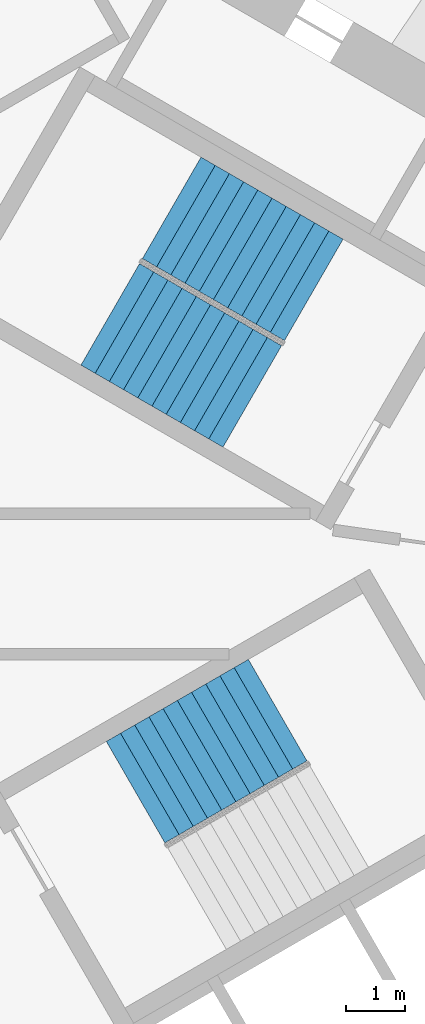
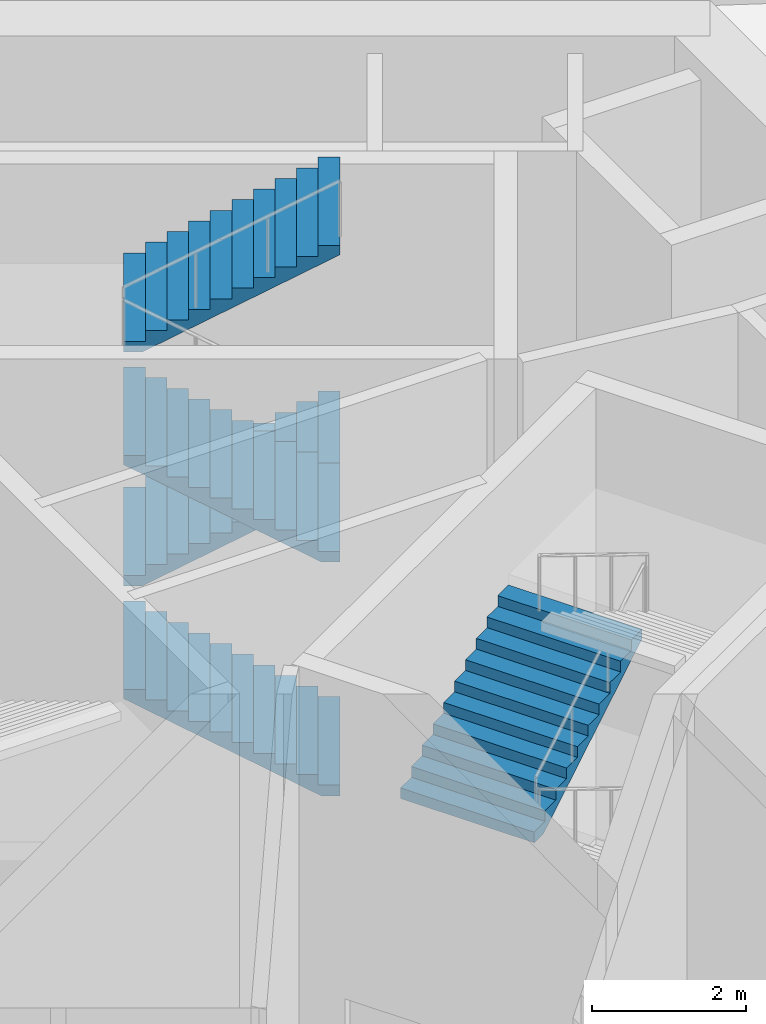
# One storey, part 13 of 17: 5 stair flights, 2 elements without a shape of their own.
"""IFC4 building model written with IfcOpenShell, lengths in metres."""

from ifc_helpers import new_model, si_unit, direction, frame, origin, place, context, subcontext, project, spatial, triangles, source, transform, mapped, material, type_object, element, aggregate, save


model = new_model("IFC4")

# Units and contexts
model_context = context("Model", 3, precision=1e-05, world=origin(), true_north=direction((0.0, 1.0)))
body_context = subcontext(model_context, "Body", "Model", "MODEL_VIEW")
ifc_project = project(units=[si_unit("LENGTHUNIT", "METRE"), si_unit("AREAUNIT", "SQUARE_METRE"), si_unit("VOLUMEUNIT", "CUBIC_METRE"), si_unit("PLANEANGLEUNIT", "RADIAN"), si_unit("MASSUNIT", "GRAM", prefix="KILO")], contexts=[model_context])

# Site, building, storey
site_placement = place(None, origin())
site = spatial("IfcSite", under=ifc_project, at=site_placement, CompositionType="ELEMENT")
building_placement = place(site_placement, origin())
building = spatial("IfcBuilding", under=site, at=building_placement, Name="Vanh Sen Convention Tower", CompositionType="ELEMENT")
storey_placement = place(building_placement, frame((0.0, 0.0, 214.300048828125)))
storey = spatial("IfcBuildingStorey", under=building, at=storey_placement, Name="L53", CompositionType="ELEMENT", Elevation=214.300048828125)

# Stair, stair flights
ifc_material_1 = material(Name="Concrete C50/60", Category="concrete")
stair_type_1 = type_object("IfcStairType", Name="Exit stair ST1 44 risers at 168.2", PredefinedType="HALF_TURN_STAIR", material=ifc_material_1)
stair_1_placement = place(storey_placement, origin())
stair_1 = element("IfcStair", 1, at=stair_1_placement, inside=storey, type_object=stair_type_1, Name="Exit stair ST1 L53", PredefinedType="HALF_TURN_STAIR")
ifc_material_2 = material(Name="Concrete C40/50", Category="concrete")
stair_flight_type = type_object("IfcStairFlightType", Name="Stair flight 2000", PredefinedType="STRAIGHT", material=ifc_material_2)
shared_shape = source(origin(), body_context, "Body", "Tessellation", [
    triangles([(0.24267578125, 1.0, 0.0), (0.0, 1.0, 0.0), (0.0, 1.0, 0.168212890625), (0.280029296875, 1.0, 0.168212890625), (0.280029296875, 1.0, 0.33642578125), (0.56005859375, 1.0, 0.33642578125), (0.56005859375, 1.0, 0.504638671875), (0.840087890625, 1.0, 0.504638671875), (0.840087890625, 1.0, 0.672607421875), (1.1201171875, 1.0, 0.672607421875), (1.1201171875, 1.0, 0.8408203125), (1.39990234375, 1.0, 0.8408203125), (1.39990234375, 1.0, 1.009033203125), (1.679931640625, 1.0, 1.009033203125), (1.679931640625, 1.0, 1.17724609375), (1.9599609375, 1.0, 1.17724609375), (1.9599609375, 1.0, 1.345458984375), (2.239990234375, 1.0, 1.345458984375), (2.239990234375, 1.0, 1.513671875), (2.52001953125, 1.0, 1.513671875), (2.52001953125, 1.0, 1.681884765625), (2.800048828125, 1.0, 1.681884765625), (2.800048828125, 1.0, 1.535888671875), (0.24267578125, -1.0, 0.0), (0.0, -1.0, 0.0), (0.0, -1.0, 0.168212890625), (0.280029296875, -1.0, 0.168212890625), (0.280029296875, -1.0, 0.33642578125), (0.56005859375, -1.0, 0.33642578125), (0.56005859375, -1.0, 0.504638671875), (0.840087890625, -1.0, 0.504638671875), (0.840087890625, -1.0, 0.672607421875), (1.1201171875, -1.0, 0.672607421875), (1.1201171875, -1.0, 0.8408203125), (1.39990234375, -1.0, 0.8408203125), (1.39990234375, -1.0, 1.009033203125), (1.679931640625, -1.0, 1.009033203125), (1.679931640625, -1.0, 1.17724609375), (1.9599609375, -1.0, 1.17724609375), (1.9599609375, -1.0, 1.345458984375), (2.239990234375, -1.0, 1.345458984375), (2.239990234375, -1.0, 1.513671875), (2.52001953125, -1.0, 1.513671875), (2.52001953125, -1.0, 1.681884765625), (2.800048828125, -1.0, 1.681884765625), (2.800048828125, -1.0, 1.535888671875), (0.0, 0.0400390625, 0.0), (0.0, 0.0390625, 0.0), (0.0, 0.0380859375, 0.0), (0.0, 0.037109375, 0.0), (0.0, 0.035888671875, 0.0), (0.0, 0.034912109375, 0.0), (0.0, 0.033935546875, 0.0), (0.0, 0.032958984375, 0.0), (0.0, 0.031982421875, 0.0), (0.0, 0.031005859375, 0.0), (0.0, 0.030029296875, 0.0), (0.0, 0.029052734375, 0.0), (0.0, 0.028076171875, 0.0), (0.0, 0.027099609375, 0.0), (0.0, 0.02587890625, 0.0), (0.0, 0.02490234375, 0.0), (0.0, 0.02392578125, 0.0), (0.0, 0.02294921875, 0.0), (0.0, 0.02197265625, 0.0), (0.0, 0.02099609375, 0.0), (0.0, 0.02001953125, 0.0), (0.0, 0.01904296875, 0.0), (0.0, 0.01806640625, 0.0), (0.0, 0.01708984375, 0.0), (0.0, 0.01611328125, 0.0), (0.0, 0.014892578125, 0.0), (0.0, 0.013916015625, 0.0), (0.0, 0.012939453125, 0.0), (0.0, 0.011962890625, 0.0), (0.0, 0.010986328125, 0.0), (0.0, 0.010009765625, 0.0), (0.0, 0.009033203125, 0.0), (0.0, 0.008056640625, 0.0), (0.0, 0.007080078125, 0.0), (0.0, 0.006103515625, 0.0), (0.0, 0.0048828125, 0.0), (0.0, 0.00390625, 0.0), (0.0, 0.0029296875, 0.0), (0.0, 0.001953125, 0.0), (0.0, 0.0009765625, 0.0), (0.0, 0.0, 0.0), (0.0, -0.0009765625, 0.0), (0.0, -0.001953125, 0.0), (0.0, -0.0029296875, 0.0), (0.0, -0.00390625, 0.0), (0.0, -0.0048828125, 0.0), (0.0, -0.006103515625, 0.0), (0.0, -0.007080078125, 0.0), (0.0, -0.008056640625, 0.0), (0.0, -0.009033203125, 0.0), (0.0, -0.010009765625, 0.0), (0.0, -0.010986328125, 0.0), (0.0, -0.011962890625, 0.0), (0.0, -0.012939453125, 0.0), (0.0, -0.013916015625, 0.0), (0.0, -0.014892578125, 0.0), (0.0, -0.01611328125, 0.0), (0.0, -0.01708984375, 0.0), (0.0, -0.01806640625, 0.0), (0.0, -0.01904296875, 0.0), (0.0, -0.02001953125, 0.0), (0.0, -0.02099609375, 0.0), (0.0, -0.02197265625, 0.0), (0.0, -0.02294921875, 0.0), (0.0, -0.02392578125, 0.0), (0.0, -0.02490234375, 0.0), (0.0, -0.02587890625, 0.0), (0.0, -0.027099609375, 0.0), (0.0, -0.028076171875, 0.0), (0.0, -0.029052734375, 0.0), (0.0, -0.030029296875, 0.0), (0.0, -0.031005859375, 0.0), (0.0, -0.031982421875, 0.0), (0.0, -0.032958984375, 0.0), (0.0, -0.033935546875, 0.0), (0.0, -0.034912109375, 0.0), (0.0, -0.035888671875, 0.0), (0.0, -0.037109375, 0.0), (0.0, -0.0380859375, 0.0), (0.0, -0.0390625, 0.0), (0.0, -0.0400390625, 0.0), (0.0, 0.0400390625, 0.168212890625), (0.0, 0.0390625, 0.168212890625), (0.0, 0.0380859375, 0.168212890625), (0.0, 0.037109375, 0.168212890625), (0.0, 0.035888671875, 0.168212890625), (0.0, 0.034912109375, 0.168212890625), (0.0, 0.033935546875, 0.168212890625), (0.0, 0.032958984375, 0.168212890625), (0.0, 0.031982421875, 0.168212890625), (0.0, 0.031005859375, 0.168212890625), (0.0, 0.030029296875, 0.168212890625), (0.0, 0.029052734375, 0.168212890625), (0.0, 0.028076171875, 0.168212890625), (0.0, 0.027099609375, 0.168212890625), (0.0, 0.02587890625, 0.168212890625), (0.0, 0.02490234375, 0.168212890625), (0.0, 0.02392578125, 0.168212890625), (0.0, 0.02294921875, 0.168212890625), (0.0, 0.02197265625, 0.168212890625), (0.0, 0.02099609375, 0.168212890625), (0.0, 0.02001953125, 0.168212890625), (0.0, 0.01904296875, 0.168212890625), (0.0, 0.01806640625, 0.168212890625), (0.0, 0.01708984375, 0.168212890625), (0.0, 0.01611328125, 0.168212890625), (0.0, 0.014892578125, 0.168212890625), (0.0, 0.013916015625, 0.168212890625), (0.0, 0.012939453125, 0.168212890625), (0.0, 0.011962890625, 0.168212890625), (0.0, 0.010986328125, 0.168212890625), (0.0, 0.010009765625, 0.168212890625), (0.0, 0.009033203125, 0.168212890625), (0.0, 0.008056640625, 0.168212890625), (0.0, 0.007080078125, 0.168212890625), (0.0, 0.006103515625, 0.168212890625), (0.0, 0.0048828125, 0.168212890625), (0.0, 0.00390625, 0.168212890625), (0.0, 0.0029296875, 0.168212890625), (0.0, 0.001953125, 0.168212890625), (0.0, 0.0009765625, 0.168212890625), (0.0, 0.0, 0.168212890625), (0.0, -0.0009765625, 0.168212890625), (0.0, -0.001953125, 0.168212890625), (0.0, -0.0029296875, 0.168212890625), (0.0, -0.00390625, 0.168212890625), (0.0, -0.0048828125, 0.168212890625), (0.0, -0.006103515625, 0.168212890625), (0.0, -0.007080078125, 0.168212890625), (0.0, -0.008056640625, 0.168212890625), (0.0, -0.009033203125, 0.168212890625), (0.0, -0.010009765625, 0.168212890625), (0.0, -0.010986328125, 0.168212890625), (0.0, -0.011962890625, 0.168212890625), (0.0, -0.012939453125, 0.168212890625), (0.0, -0.013916015625, 0.168212890625), (0.0, -0.014892578125, 0.168212890625), (0.0, -0.01611328125, 0.168212890625), (0.0, -0.01708984375, 0.168212890625), (0.0, -0.01806640625, 0.168212890625), (0.0, -0.01904296875, 0.168212890625), (0.0, -0.02001953125, 0.168212890625), (0.0, -0.02099609375, 0.168212890625), (0.0, -0.02197265625, 0.168212890625), (0.0, -0.02294921875, 0.168212890625), (0.0, -0.02392578125, 0.168212890625), (0.0, -0.02490234375, 0.168212890625), (0.0, -0.02587890625, 0.168212890625), (0.0, -0.027099609375, 0.168212890625), (0.0, -0.028076171875, 0.168212890625), (0.0, -0.029052734375, 0.168212890625), (0.0, -0.030029296875, 0.168212890625), (0.0, -0.031005859375, 0.168212890625), (0.0, -0.031982421875, 0.168212890625), (0.0, -0.032958984375, 0.168212890625), (0.0, -0.033935546875, 0.168212890625), (0.0, -0.034912109375, 0.168212890625), (0.0, -0.035888671875, 0.168212890625), (0.0, -0.037109375, 0.168212890625), (0.0, -0.0380859375, 0.168212890625), (0.0, -0.0390625, 0.168212890625), (0.0, -0.0400390625, 0.168212890625), (0.280029296875, 0.0, 0.168212890625), (0.280029296875, 0.0, 0.33642578125), (0.56005859375, 0.0, 0.33642578125), (0.56005859375, 0.0, 0.504638671875), (0.840087890625, 0.0, 0.504638671875), (0.840087890625, 0.0, 0.672607421875), (1.1201171875, 0.0, 0.672607421875), (1.1201171875, 0.0, 0.8408203125), (1.39990234375, 0.0, 0.8408203125), (1.39990234375, 0.0, 1.009033203125), (1.679931640625, 0.0, 1.009033203125), (1.679931640625, 0.0, 1.17724609375), (1.9599609375, 0.0, 1.17724609375), (1.9599609375, 0.0, 1.345458984375), (2.239990234375, 0.0, 1.345458984375), (2.239990234375, 0.0, 1.513671875), (2.52001953125, 0.0, 1.513671875), (2.52001953125, 0.0, 1.681884765625), (2.800048828125, 0.0400390625, 1.681884765625), (2.800048828125, 0.0390625, 1.681884765625), (2.800048828125, 0.0380859375, 1.681884765625), (2.800048828125, 0.037109375, 1.681884765625), (2.800048828125, 0.035888671875, 1.681884765625), (2.800048828125, 0.034912109375, 1.681884765625), (2.800048828125, 0.033935546875, 1.681884765625), (2.800048828125, 0.032958984375, 1.681884765625), (2.800048828125, 0.031982421875, 1.681884765625), (2.800048828125, 0.031005859375, 1.681884765625), (2.800048828125, 0.030029296875, 1.681884765625), (2.800048828125, 0.029052734375, 1.681884765625), (2.800048828125, 0.028076171875, 1.681884765625), (2.800048828125, 0.027099609375, 1.681884765625), (2.800048828125, 0.02587890625, 1.681884765625), (2.800048828125, 0.02490234375, 1.681884765625), (2.800048828125, 0.02392578125, 1.681884765625), (2.800048828125, 0.02294921875, 1.681884765625), (2.800048828125, 0.02197265625, 1.681884765625), (2.800048828125, 0.02099609375, 1.681884765625), (2.800048828125, 0.02001953125, 1.681884765625), (2.800048828125, 0.01904296875, 1.681884765625), (2.800048828125, 0.01806640625, 1.681884765625), (2.800048828125, 0.01708984375, 1.681884765625), (2.800048828125, 0.01611328125, 1.681884765625), (2.800048828125, 0.014892578125, 1.681884765625), (2.800048828125, 0.013916015625, 1.681884765625), (2.800048828125, 0.012939453125, 1.681884765625), (2.800048828125, 0.011962890625, 1.681884765625), (2.800048828125, 0.010986328125, 1.681884765625), (2.800048828125, 0.010009765625, 1.681884765625), (2.800048828125, 0.009033203125, 1.681884765625), (2.800048828125, 0.008056640625, 1.681884765625), (2.800048828125, 0.007080078125, 1.681884765625), (2.800048828125, 0.006103515625, 1.681884765625), (2.800048828125, 0.0048828125, 1.681884765625), (2.800048828125, 0.00390625, 1.681884765625), (2.800048828125, 0.0029296875, 1.681884765625), (2.800048828125, 0.001953125, 1.681884765625), (2.800048828125, 0.0009765625, 1.681884765625), (2.800048828125, 0.0, 1.681884765625), (2.800048828125, -0.0009765625, 1.681884765625), (2.800048828125, -0.001953125, 1.681884765625), (2.800048828125, -0.0029296875, 1.681884765625), (2.800048828125, -0.00390625, 1.681884765625), (2.800048828125, -0.0048828125, 1.681884765625), (2.800048828125, -0.006103515625, 1.681884765625), (2.800048828125, -0.007080078125, 1.681884765625), (2.800048828125, -0.008056640625, 1.681884765625), (2.800048828125, -0.009033203125, 1.681884765625), (2.800048828125, -0.010009765625, 1.681884765625), (2.800048828125, -0.010986328125, 1.681884765625), (2.800048828125, -0.011962890625, 1.681884765625), (2.800048828125, -0.012939453125, 1.681884765625), (2.800048828125, -0.013916015625, 1.681884765625), (2.800048828125, -0.014892578125, 1.681884765625), (2.800048828125, -0.01611328125, 1.681884765625), (2.800048828125, -0.01708984375, 1.681884765625), (2.800048828125, -0.01806640625, 1.681884765625), (2.800048828125, -0.01904296875, 1.681884765625), (2.800048828125, -0.02001953125, 1.681884765625), (2.800048828125, -0.02099609375, 1.681884765625), (2.800048828125, -0.02197265625, 1.681884765625), (2.800048828125, -0.02294921875, 1.681884765625), (2.800048828125, -0.02392578125, 1.681884765625), (2.800048828125, -0.02490234375, 1.681884765625), (2.800048828125, -0.02587890625, 1.681884765625), (2.800048828125, -0.027099609375, 1.681884765625), (2.800048828125, -0.028076171875, 1.681884765625), (2.800048828125, -0.029052734375, 1.681884765625), (2.800048828125, -0.030029296875, 1.681884765625), (2.800048828125, -0.031005859375, 1.681884765625), (2.800048828125, -0.031982421875, 1.681884765625), (2.800048828125, -0.032958984375, 1.681884765625), (2.800048828125, -0.033935546875, 1.681884765625), (2.800048828125, -0.034912109375, 1.681884765625), (2.800048828125, -0.035888671875, 1.681884765625), (2.800048828125, -0.037109375, 1.681884765625), (2.800048828125, -0.0380859375, 1.681884765625), (2.800048828125, -0.0390625, 1.681884765625), (2.800048828125, -0.0400390625, 1.681884765625), (2.800048828125, 0.0400390625, 1.535888671875), (2.800048828125, 0.0390625, 1.535888671875), (2.800048828125, 0.0380859375, 1.535888671875), (2.800048828125, 0.037109375, 1.535888671875), (2.800048828125, 0.035888671875, 1.535888671875), (2.800048828125, 0.034912109375, 1.535888671875), (2.800048828125, 0.033935546875, 1.535888671875), (2.800048828125, 0.032958984375, 1.535888671875), (2.800048828125, 0.031982421875, 1.535888671875), (2.800048828125, 0.031005859375, 1.535888671875), (2.800048828125, 0.030029296875, 1.535888671875), (2.800048828125, 0.029052734375, 1.535888671875), (2.800048828125, 0.028076171875, 1.535888671875), (2.800048828125, 0.027099609375, 1.535888671875), (2.800048828125, 0.02587890625, 1.535888671875), (2.800048828125, 0.02490234375, 1.535888671875), (2.800048828125, 0.02392578125, 1.535888671875), (2.800048828125, 0.02294921875, 1.535888671875), (2.800048828125, 0.02197265625, 1.535888671875), (2.800048828125, 0.02099609375, 1.535888671875), (2.800048828125, 0.02001953125, 1.535888671875), (2.800048828125, 0.01904296875, 1.535888671875), (2.800048828125, 0.01806640625, 1.535888671875), (2.800048828125, 0.01708984375, 1.535888671875), (2.800048828125, 0.01611328125, 1.535888671875), (2.800048828125, 0.014892578125, 1.535888671875), (2.800048828125, 0.013916015625, 1.535888671875), (2.800048828125, 0.012939453125, 1.535888671875), (2.800048828125, 0.011962890625, 1.535888671875), (2.800048828125, 0.010986328125, 1.535888671875), (2.800048828125, 0.010009765625, 1.535888671875), (2.800048828125, 0.009033203125, 1.535888671875), (2.800048828125, 0.008056640625, 1.535888671875), (2.800048828125, 0.007080078125, 1.535888671875), (2.800048828125, 0.006103515625, 1.535888671875), (2.800048828125, 0.0048828125, 1.535888671875), (2.800048828125, 0.00390625, 1.535888671875), (2.800048828125, 0.0029296875, 1.535888671875), (2.800048828125, 0.001953125, 1.535888671875), (2.800048828125, 0.0009765625, 1.535888671875), (2.800048828125, 0.0, 1.535888671875), (2.800048828125, -0.0009765625, 1.535888671875), (2.800048828125, -0.001953125, 1.535888671875), (2.800048828125, -0.0029296875, 1.535888671875), (2.800048828125, -0.00390625, 1.535888671875), (2.800048828125, -0.0048828125, 1.535888671875), (2.800048828125, -0.006103515625, 1.535888671875), (2.800048828125, -0.007080078125, 1.535888671875), (2.800048828125, -0.008056640625, 1.535888671875), (2.800048828125, -0.009033203125, 1.535888671875), (2.800048828125, -0.010009765625, 1.535888671875), (2.800048828125, -0.010986328125, 1.535888671875), (2.800048828125, -0.011962890625, 1.535888671875), (2.800048828125, -0.012939453125, 1.535888671875), (2.800048828125, -0.013916015625, 1.535888671875), (2.800048828125, -0.014892578125, 1.535888671875), (2.800048828125, -0.01611328125, 1.535888671875), (2.800048828125, -0.01708984375, 1.535888671875), (2.800048828125, -0.01806640625, 1.535888671875), (2.800048828125, -0.01904296875, 1.535888671875), (2.800048828125, -0.02001953125, 1.535888671875), (2.800048828125, -0.02099609375, 1.535888671875), (2.800048828125, -0.02197265625, 1.535888671875), (2.800048828125, -0.02294921875, 1.535888671875), (2.800048828125, -0.02392578125, 1.535888671875), (2.800048828125, -0.02490234375, 1.535888671875), (2.800048828125, -0.02587890625, 1.535888671875), (2.800048828125, -0.027099609375, 1.535888671875), (2.800048828125, -0.028076171875, 1.535888671875), (2.800048828125, -0.029052734375, 1.535888671875), (2.800048828125, -0.030029296875, 1.535888671875), (2.800048828125, -0.031005859375, 1.535888671875), (2.800048828125, -0.031982421875, 1.535888671875), (2.800048828125, -0.032958984375, 1.535888671875), (2.800048828125, -0.033935546875, 1.535888671875), (2.800048828125, -0.034912109375, 1.535888671875), (2.800048828125, -0.035888671875, 1.535888671875), (2.800048828125, -0.037109375, 1.535888671875), (2.800048828125, -0.0380859375, 1.535888671875), (2.800048828125, -0.0390625, 1.535888671875), (2.800048828125, -0.0400390625, 1.535888671875), (0.24267578125, 0.0, 0.0)], [[1, 2, 3], [1, 3, 4], [4, 5, 6], [1, 4, 6], [6, 7, 8], [1, 6, 8], [8, 9, 10], [1, 8, 10], [10, 11, 12], [1, 10, 12], [12, 13, 14], [1, 12, 14], [14, 15, 16], [1, 14, 16], [16, 17, 18], [1, 16, 18], [18, 19, 20], [1, 18, 20], [20, 21, 22], [1, 20, 22], [22, 23, 1], [24, 26, 25], [24, 27, 26], [27, 29, 28], [24, 29, 27], [29, 31, 30], [24, 31, 29], [31, 33, 32], [24, 33, 31], [33, 35, 34], [24, 35, 33], [35, 37, 36], [24, 37, 35], [37, 39, 38], [24, 39, 37], [39, 41, 40], [24, 41, 39], [41, 43, 42], [24, 43, 41], [43, 45, 44], [24, 45, 43], [45, 24, 46], [2, 128, 3], [2, 47, 128], [47, 129, 128], [47, 48, 129], [48, 130, 129], [48, 49, 130], [49, 131, 130], [49, 50, 131], [50, 132, 131], [50, 51, 132], [51, 133, 132], [51, 52, 133], [52, 134, 133], [52, 53, 134], [53, 135, 134], [53, 54, 135], [54, 136, 135], [54, 55, 136], [55, 137, 136], [55, 56, 137], [56, 138, 137], [56, 57, 138], [57, 139, 138], [57, 58, 139], [58, 140, 139], [58, 59, 140], [59, 141, 140], [59, 60, 141], [60, 142, 141], [60, 61, 142], [61, 143, 142], [61, 62, 143], [62, 144, 143], [62, 63, 144], [63, 145, 144], [63, 64, 145], [64, 146, 145], [64, 65, 146], [65, 147, 146], [65, 66, 147], [66, 148, 147], [66, 67, 148], [67, 149, 148], [67, 68, 149], [68, 150, 149], [68, 69, 150], [69, 151, 150], [69, 70, 151], [70, 152, 151], [70, 71, 152], [71, 153, 152], [71, 72, 153], [72, 154, 153], [72, 73, 154], [73, 155, 154], [73, 74, 155], [74, 156, 155], [74, 75, 156], [75, 157, 156], [75, 76, 157], [76, 158, 157], [76, 77, 158], [77, 159, 158], [77, 78, 159], [78, 160, 159], [78, 79, 160], [79, 161, 160], [79, 80, 161], [80, 162, 161], [80, 81, 162], [81, 163, 162], [81, 82, 163], [82, 164, 163], [82, 83, 164], [83, 165, 164], [83, 84, 165], [84, 166, 165], [84, 85, 166], [85, 167, 166], [85, 86, 167], [86, 168, 167], [86, 87, 168], [87, 88, 168], [168, 88, 169], [88, 89, 169], [169, 89, 170], [89, 90, 170], [170, 90, 171], [90, 91, 171], [171, 91, 172], [91, 92, 172], [172, 92, 173], [92, 93, 173], [173, 93, 174], [93, 94, 174], [174, 94, 175], [94, 95, 175], [175, 95, 176], [95, 96, 176], [176, 96, 177], [96, 97, 177], [177, 97, 178], [97, 98, 178], [178, 98, 179], [98, 99, 179], [179, 99, 180], [99, 100, 180], [180, 100, 181], [100, 101, 181], [181, 101, 182], [101, 102, 182], [182, 102, 183], [102, 103, 183], [183, 103, 184], [103, 104, 184], [184, 104, 185], [104, 105, 185], [185, 105, 186], [105, 106, 186], [186, 106, 187], [106, 107, 187], [187, 107, 188], [107, 108, 188], [188, 108, 189], [108, 109, 189], [189, 109, 190], [109, 110, 190], [190, 110, 191], [110, 111, 191], [191, 111, 192], [111, 112, 192], [192, 112, 193], [112, 113, 193], [193, 113, 194], [113, 114, 194], [194, 114, 195], [114, 115, 195], [195, 115, 196], [115, 116, 196], [196, 116, 197], [116, 117, 197], [197, 117, 198], [117, 118, 198], [198, 118, 199], [118, 119, 199], [199, 119, 200], [119, 120, 200], [200, 120, 201], [120, 121, 201], [201, 121, 202], [121, 122, 202], [202, 122, 203], [122, 123, 203], [203, 123, 204], [123, 124, 204], [204, 124, 205], [124, 125, 205], [205, 125, 206], [125, 126, 206], [206, 126, 207], [126, 127, 207], [207, 127, 208], [127, 25, 208], [208, 25, 26], [4, 3, 128], [4, 128, 129], [4, 129, 130], [4, 130, 131], [4, 131, 132], [4, 132, 133], [4, 133, 134], [4, 134, 135], [4, 135, 136], [4, 136, 137], [4, 137, 138], [4, 138, 139], [4, 139, 140], [4, 140, 141], [4, 141, 142], [4, 142, 143], [4, 143, 144], [4, 144, 145], [4, 145, 146], [4, 146, 147], [4, 147, 148], [4, 148, 149], [4, 149, 150], [4, 150, 151], [4, 151, 152], [4, 152, 153], [4, 153, 154], [4, 154, 155], [4, 155, 156], [4, 156, 157], [4, 157, 158], [4, 158, 159], [4, 159, 160], [4, 160, 161], [4, 161, 162], [4, 162, 163], [4, 163, 164], [4, 164, 165], [4, 165, 166], [4, 166, 167], [4, 167, 168], [27, 168, 169], [27, 169, 170], [27, 170, 171], [27, 171, 172], [27, 172, 173], [27, 173, 174], [27, 174, 175], [27, 175, 176], [27, 176, 177], [27, 177, 178], [27, 178, 179], [27, 179, 180], [27, 180, 181], [27, 181, 182], [27, 182, 183], [27, 183, 184], [27, 184, 185], [27, 185, 186], [27, 186, 187], [27, 187, 188], [27, 188, 189], [27, 189, 190], [27, 190, 191], [27, 191, 192], [27, 192, 193], [27, 193, 194], [27, 194, 195], [27, 195, 196], [27, 196, 197], [27, 197, 198], [27, 198, 199], [27, 199, 200], [27, 200, 201], [27, 201, 202], [27, 202, 203], [27, 203, 204], [27, 204, 205], [27, 205, 206], [27, 206, 207], [27, 207, 208], [27, 208, 26], [4, 168, 209], [27, 209, 168], [4, 210, 5], [4, 209, 210], [209, 27, 210], [210, 27, 28], [5, 211, 6], [5, 210, 211], [210, 28, 211], [211, 28, 29], [6, 212, 7], [6, 211, 212], [211, 29, 212], [212, 29, 30], [7, 213, 8], [7, 212, 213], [212, 30, 213], [213, 30, 31], [8, 214, 9], [8, 213, 214], [213, 31, 214], [214, 31, 32], [9, 215, 10], [9, 214, 215], [214, 32, 215], [215, 32, 33], [10, 216, 11], [10, 215, 216], [215, 33, 216], [216, 33, 34], [11, 217, 12], [11, 216, 217], [216, 34, 217], [217, 34, 35], [12, 218, 13], [12, 217, 218], [217, 35, 218], [218, 35, 36], [13, 219, 14], [13, 218, 219], [218, 36, 219], [219, 36, 37], [14, 220, 15], [14, 219, 220], [219, 37, 220], [220, 37, 38], [15, 221, 16], [15, 220, 221], [220, 38, 221], [221, 38, 39], [16, 222, 17], [16, 221, 222], [221, 39, 222], [222, 39, 40], [17, 223, 18], [17, 222, 223], [222, 40, 223], [223, 40, 41], [18, 224, 19], [18, 223, 224], [223, 41, 224], [224, 41, 42], [19, 225, 20], [19, 224, 225], [224, 42, 225], [225, 42, 43], [20, 226, 21], [20, 225, 226], [225, 43, 226], [226, 43, 44], [21, 227, 22], [21, 228, 227], [21, 229, 228], [21, 230, 229], [21, 231, 230], [21, 232, 231], [21, 233, 232], [21, 234, 233], [21, 235, 234], [21, 236, 235], [21, 237, 236], [21, 238, 237], [21, 239, 238], [21, 240, 239], [21, 241, 240], [21, 242, 241], [21, 243, 242], [21, 244, 243], [21, 245, 244], [21, 246, 245], [21, 247, 246], [21, 248, 247], [21, 249, 248], [21, 250, 249], [21, 251, 250], [21, 252, 251], [21, 253, 252], [21, 254, 253], [21, 255, 254], [21, 256, 255], [21, 257, 256], [21, 258, 257], [21, 259, 258], [21, 260, 259], [21, 261, 260], [21, 262, 261], [21, 263, 262], [21, 264, 263], [21, 265, 264], [21, 266, 265], [21, 267, 266], [44, 268, 267], [44, 269, 268], [44, 270, 269], [44, 271, 270], [44, 272, 271], [44, 273, 272], [44, 274, 273], [44, 275, 274], [44, 276, 275], [44, 277, 276], [44, 278, 277], [44, 279, 278], [44, 280, 279], [44, 281, 280], [44, 282, 281], [44, 283, 282], [44, 284, 283], [44, 285, 284], [44, 286, 285], [44, 287, 286], [44, 288, 287], [44, 289, 288], [44, 290, 289], [44, 291, 290], [44, 292, 291], [44, 293, 292], [44, 294, 293], [44, 295, 294], [44, 296, 295], [44, 297, 296], [44, 298, 297], [44, 299, 298], [44, 300, 299], [44, 301, 300], [44, 302, 301], [44, 303, 302], [44, 304, 303], [44, 305, 304], [44, 306, 305], [44, 307, 306], [44, 45, 307], [21, 226, 267], [44, 267, 226], [22, 308, 23], [22, 227, 308], [227, 309, 308], [227, 228, 309], [228, 310, 309], [228, 229, 310], [229, 311, 310], [229, 230, 311], [230, 312, 311], [230, 231, 312], [231, 313, 312], [231, 232, 313], [232, 314, 313], [232, 233, 314], [233, 315, 314], [233, 234, 315], [234, 316, 315], [234, 235, 316], [235, 317, 316], [235, 236, 317], [236, 318, 317], [236, 237, 318], [237, 319, 318], [237, 238, 319], [238, 320, 319], [238, 239, 320], [239, 321, 320], [239, 240, 321], [240, 322, 321], [240, 241, 322], [241, 323, 322], [241, 242, 323], [242, 324, 323], [242, 243, 324], [243, 325, 324], [243, 244, 325], [244, 326, 325], [244, 245, 326], [245, 327, 326], [245, 246, 327], [246, 328, 327], [246, 247, 328], [247, 329, 328], [247, 248, 329], [248, 330, 329], [248, 249, 330], [249, 331, 330], [249, 250, 331], [250, 332, 331], [250, 251, 332], [251, 333, 332], [251, 252, 333], [252, 334, 333], [252, 253, 334], [253, 335, 334], [253, 254, 335], [254, 336, 335], [254, 255, 336], [255, 337, 336], [255, 256, 337], [256, 338, 337], [256, 257, 338], [257, 339, 338], [257, 258, 339], [258, 340, 339], [258, 259, 340], [259, 341, 340], [259, 260, 341], [260, 342, 341], [260, 261, 342], [261, 343, 342], [261, 262, 343], [262, 344, 343], [262, 263, 344], [263, 345, 344], [263, 264, 345], [264, 346, 345], [264, 265, 346], [265, 347, 346], [265, 266, 347], [266, 348, 347], [266, 267, 348], [267, 268, 348], [348, 268, 349], [268, 269, 349], [349, 269, 350], [269, 270, 350], [350, 270, 351], [270, 271, 351], [351, 271, 352], [271, 272, 352], [352, 272, 353], [272, 273, 353], [353, 273, 354], [273, 274, 354], [354, 274, 355], [274, 275, 355], [355, 275, 356], [275, 276, 356], [356, 276, 357], [276, 277, 357], [357, 277, 358], [277, 278, 358], [358, 278, 359], [278, 279, 359], [359, 279, 360], [279, 280, 360], [360, 280, 361], [280, 281, 361], [361, 281, 362], [281, 282, 362], [362, 282, 363], [282, 283, 363], [363, 283, 364], [283, 284, 364], [364, 284, 365], [284, 285, 365], [365, 285, 366], [285, 286, 366], [366, 286, 367], [286, 287, 367], [367, 287, 368], [287, 288, 368], [368, 288, 369], [288, 289, 369], [369, 289, 370], [289, 290, 370], [370, 290, 371], [290, 291, 371], [371, 291, 372], [291, 292, 372], [372, 292, 373], [292, 293, 373], [373, 293, 374], [293, 294, 374], [374, 294, 375], [294, 295, 375], [375, 295, 376], [295, 296, 376], [376, 296, 377], [296, 297, 377], [377, 297, 378], [297, 298, 378], [378, 298, 379], [298, 299, 379], [379, 299, 380], [299, 300, 380], [380, 300, 381], [300, 301, 381], [381, 301, 382], [301, 302, 382], [382, 302, 383], [302, 303, 383], [383, 303, 384], [303, 304, 384], [384, 304, 385], [304, 305, 385], [385, 305, 386], [305, 306, 386], [386, 306, 387], [306, 307, 387], [387, 307, 388], [307, 45, 388], [388, 45, 46], [1, 23, 308], [1, 308, 309], [1, 309, 310], [1, 310, 311], [1, 311, 312], [1, 312, 313], [1, 313, 314], [1, 314, 315], [1, 315, 316], [1, 316, 317], [1, 317, 318], [1, 318, 319], [1, 319, 320], [1, 320, 321], [1, 321, 322], [1, 322, 323], [1, 323, 324], [1, 324, 325], [1, 325, 326], [1, 326, 327], [1, 327, 328], [1, 328, 329], [1, 329, 330], [1, 330, 331], [1, 331, 332], [1, 332, 333], [1, 333, 334], [1, 334, 335], [1, 335, 336], [1, 336, 337], [1, 337, 338], [1, 338, 339], [1, 339, 340], [1, 340, 341], [1, 341, 342], [1, 342, 343], [1, 343, 344], [1, 344, 345], [1, 345, 346], [1, 346, 347], [1, 347, 348], [24, 348, 349], [24, 349, 350], [24, 350, 351], [24, 351, 352], [24, 352, 353], [24, 353, 354], [24, 354, 355], [24, 355, 356], [24, 356, 357], [24, 357, 358], [24, 358, 359], [24, 359, 360], [24, 360, 361], [24, 361, 362], [24, 362, 363], [24, 363, 364], [24, 364, 365], [24, 365, 366], [24, 366, 367], [24, 367, 368], [24, 368, 369], [24, 369, 370], [24, 370, 371], [24, 371, 372], [24, 372, 373], [24, 373, 374], [24, 374, 375], [24, 375, 376], [24, 376, 377], [24, 377, 378], [24, 378, 379], [24, 379, 380], [24, 380, 381], [24, 381, 382], [24, 382, 383], [24, 383, 384], [24, 384, 385], [24, 385, 386], [24, 386, 387], [24, 387, 388], [24, 388, 46], [1, 348, 389], [24, 389, 348], [1, 47, 2], [1, 48, 47], [1, 49, 48], [1, 50, 49], [1, 51, 50], [1, 52, 51], [1, 53, 52], [1, 54, 53], [1, 55, 54], [1, 56, 55], [1, 57, 56], [1, 58, 57], [1, 59, 58], [1, 60, 59], [1, 61, 60], [1, 62, 61], [1, 63, 62], [1, 64, 63], [1, 65, 64], [1, 66, 65], [1, 67, 66], [1, 68, 67], [1, 69, 68], [1, 70, 69], [1, 71, 70], [1, 72, 71], [1, 73, 72], [1, 74, 73], [1, 75, 74], [1, 76, 75], [1, 77, 76], [1, 78, 77], [1, 79, 78], [1, 80, 79], [1, 81, 80], [1, 82, 81], [1, 83, 82], [1, 84, 83], [1, 85, 84], [1, 86, 85], [1, 87, 86], [24, 88, 87], [24, 89, 88], [24, 90, 89], [24, 91, 90], [24, 92, 91], [24, 93, 92], [24, 94, 93], [24, 95, 94], [24, 96, 95], [24, 97, 96], [24, 98, 97], [24, 99, 98], [24, 100, 99], [24, 101, 100], [24, 102, 101], [24, 103, 102], [24, 104, 103], [24, 105, 104], [24, 106, 105], [24, 107, 106], [24, 108, 107], [24, 109, 108], [24, 110, 109], [24, 111, 110], [24, 112, 111], [24, 113, 112], [24, 114, 113], [24, 115, 114], [24, 116, 115], [24, 117, 116], [24, 118, 117], [24, 119, 118], [24, 120, 119], [24, 121, 120], [24, 122, 121], [24, 123, 122], [24, 124, 123], [24, 125, 124], [24, 126, 125], [24, 127, 126], [24, 25, 127], [1, 389, 87], [24, 87, 389]], closed=True),
])
stair_flight_1_placement = place(storey_placement, frame((2.94580078125, 2.802490234375, 0.0), z_axis=(0.0, 0.0, 1.0), x_axis=(-0.866025403784, 0.5, 0.0)))
stair_flight_1 = element("IfcStairFlight", 2, at=stair_flight_1_placement, type_object=stair_flight_type, Name="ST1 flight 1", NumberOfRisers=11, NumberOfTreads=10, PredefinedType="STRAIGHT", RiserHeight=0.168181818, TreadLength=0.28, context=body_context, shape_type="MappedRepresentation", body=[
    mapped(shared_shape, transform((0.0, 0.0, 0.0))),
])
stair_flight_2_placement = place(storey_placement, frame((1.571044921875, 6.021240234375, 1.849853515625), z_axis=(0.0, 0.0, 1.0), x_axis=(0.866025403784, -0.5, 0.0)))
stair_flight_2 = element("IfcStairFlight", 3, at=stair_flight_2_placement, type_object=stair_flight_type, Name="ST1 flight 2", NumberOfRisers=11, NumberOfTreads=10, PredefinedType="STRAIGHT", RiserHeight=0.168181818, TreadLength=0.28, context=body_context, shape_type="MappedRepresentation", body=[
    mapped(shared_shape, transform((0.0, 0.0, 0.0))),
])
stair_flight_3_placement = place(storey_placement, frame((2.94580078125, 2.802490234375, 3.699951171875), z_axis=(0.0, 0.0, 1.0), x_axis=(-0.866025403784, 0.5, 0.0)))
stair_flight_3 = element("IfcStairFlight", 4, at=stair_flight_3_placement, type_object=stair_flight_type, Name="ST1 flight 3", NumberOfRisers=11, NumberOfTreads=10, PredefinedType="STRAIGHT", RiserHeight=0.168181818, TreadLength=0.28, context=body_context, shape_type="MappedRepresentation", body=[
    mapped(shared_shape, transform((0.0, 0.0, 0.0))),
])
stair_flight_4_placement = place(storey_placement, frame((1.571044921875, 6.021240234375, 5.550048828125), z_axis=(0.0, 0.0, 1.0), x_axis=(0.866025403784, -0.5, 0.0)))
stair_flight_4 = element("IfcStairFlight", 5, at=stair_flight_4_placement, type_object=stair_flight_type, Name="ST1 flight 4", NumberOfRisers=11, NumberOfTreads=10, PredefinedType="STRAIGHT", RiserHeight=0.168181818, TreadLength=0.28, context=body_context, shape_type="MappedRepresentation", body=[
    mapped(shared_shape, transform((0.0, 0.0, 0.0))),
])
aggregate(stair_1, [stair_flight_1, stair_flight_2, stair_flight_3, stair_flight_4])

# Stair, stair flight
stair_type_2 = type_object("IfcStairType", Name="Exit stair ST3 44 risers at 168.2", PredefinedType="HALF_TURN_STAIR", material=ifc_material_1)
stair_2_placement = place(storey_placement, origin())
stair_2 = element("IfcStair", 6, at=stair_2_placement, inside=storey, type_object=stair_type_2, Name="Exit stair ST3 L53", PredefinedType="HALF_TURN_STAIR")
stair_flight_5_placement = place(storey_placement, frame((0.9541015625, -3.952392578125, 3.699951171875), z_axis=(0.0, 0.0, 1.0), x_axis=(0.866025403784, 0.5, 0.0)))
stair_flight_5 = element("IfcStairFlight", 7, at=stair_flight_5_placement, type_object=stair_flight_type, Name="ST3 flight 3", NumberOfRisers=11, NumberOfTreads=10, PredefinedType="STRAIGHT", RiserHeight=0.168181818, TreadLength=0.28, context=body_context, shape_type="MappedRepresentation", body=[
    mapped(shared_shape, transform((0.0, 0.0, 0.0))),
])
aggregate(stair_2, [stair_flight_5])

save(model, "model.ifc")
